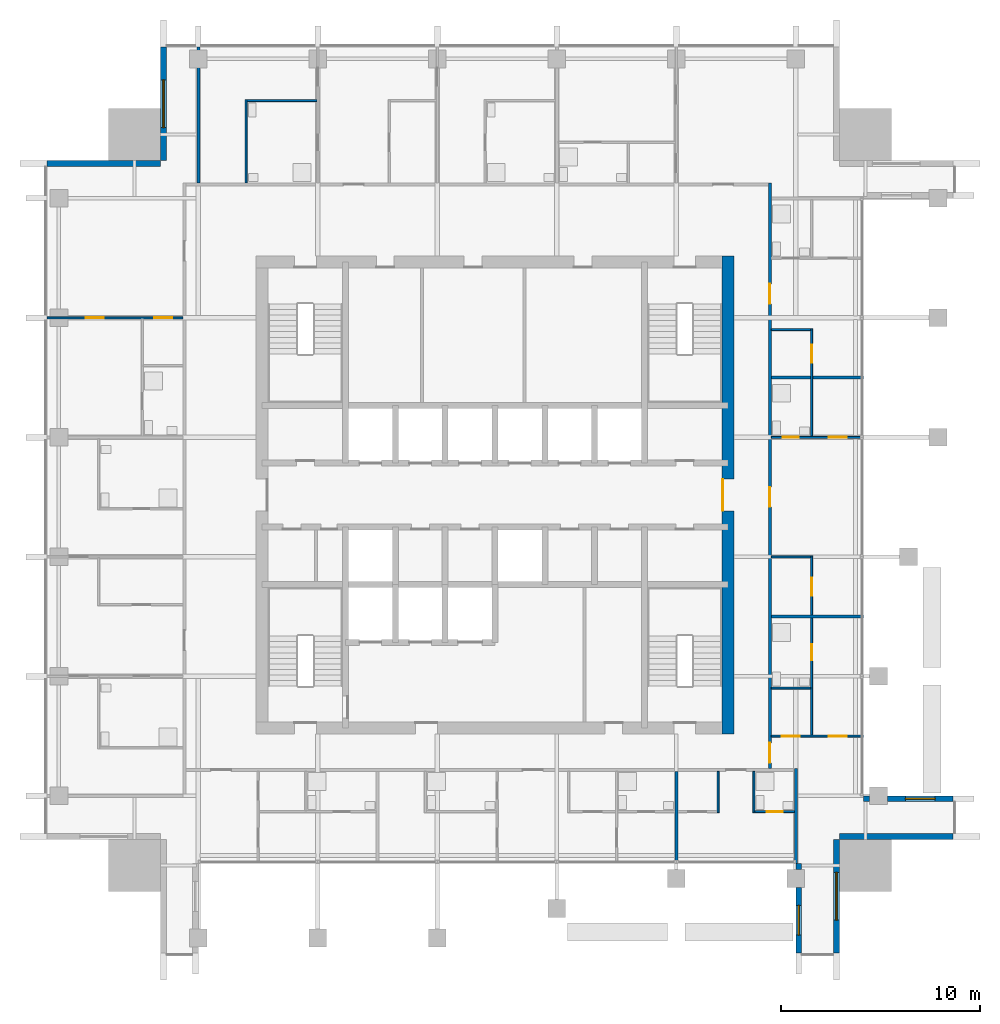
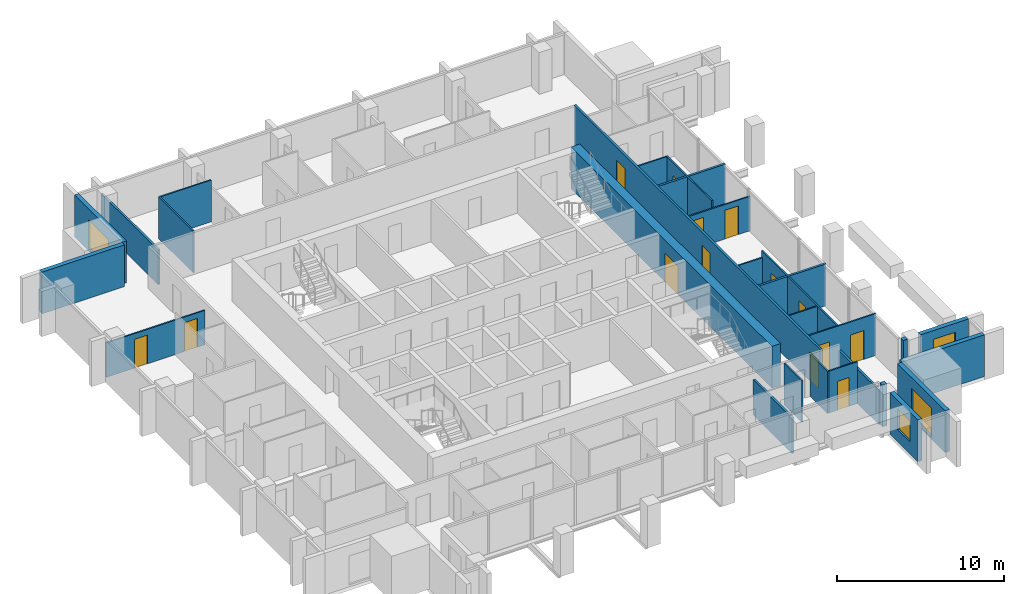
# One storey, part 10 of 14: 28 walls, 14 doors, 4 windows, 18 openings.
"""IFC4 building model written with IfcOpenShell, lengths in metres."""

from ifc_helpers import new_model, si_unit, direction, frame, frame_2d, origin, place, context, subcontext, project, spatial, rectangle, extrude, material, layer, layer_set, type_object, element, fill, save


model = new_model("IFC4")

# Units and contexts
model_context = context("Model", 3, precision=1e-05, world=origin(), true_north=direction((0.0, 1.0)))
body_context = subcontext(model_context, "Body", "Model", "MODEL_VIEW")
ifc_project = project(units=[si_unit("LENGTHUNIT", "METRE"), si_unit("AREAUNIT", "SQUARE_METRE"), si_unit("VOLUMEUNIT", "CUBIC_METRE"), si_unit("PLANEANGLEUNIT", "RADIAN"), si_unit("MASSUNIT", "GRAM", prefix="KILO")], contexts=[model_context])

# Site, building, storey
site_placement = place(None, origin())
site = spatial("IfcSite", under=ifc_project, at=site_placement, CompositionType="ELEMENT")
building_placement = place(site_placement, origin())
building = spatial("IfcBuilding", under=site, at=building_placement, Name="Amberfall Residences", CompositionType="ELEMENT")
storey_placement = place(building_placement, frame((0.0, 0.0, 220.0)))
storey = spatial("IfcBuildingStorey", under=building, at=storey_placement, Name="L59", CompositionType="ELEMENT", Elevation=220.0)

# Wall
ifc_material_1 = material(Name="Pale stone cladding on insulated backing", Category="masonry")
ifc_layer_1 = layer(ifc_material_1, 0.300048828125)
ifc_layer_set_1 = layer_set([ifc_layer_1], Name="Bronze clad wall 300")
wall_type_1 = type_object("IfcWallType", Name="Bronze clad wall 300", PredefinedType="SOLIDWALL", material=ifc_layer_set_1)
wall_1_placement = place(storey_placement, frame((89.75, 27.0, 0.0), z_axis=(0.0, 0.0, 1.0), x_axis=(0.0, -1.0, 0.0)))
element("IfcWall", 1, at=wall_1_placement, inside=storey, type_object=wall_type_1, Name="External wall L59 S", PredefinedType="SOLIDWALL", context=body_context, shape_type="SweptSolid", body=[
    extrude(rectangle(XDim=0.300048828125, YDim=0.300048828125, at=frame_2d((0.14990234375, 0.0))), origin(), (0.0, 0.0, 1.0), 3.050048828125),
])

# Wall, opening, window
wall_2_placement = place(storey_placement, frame((89.75, 25.800048828125, 0.0), z_axis=(0.0, 0.0, 1.0), x_axis=(0.0, -1.0, 0.0)))
wall_2 = element("IfcWall", 2, at=wall_2_placement, inside=storey, type_object=wall_type_1, Name="External wall L59 S", PredefinedType="SOLIDWALL", context=body_context, shape_type="SweptSolid", body=[
    extrude(rectangle(XDim=3.300048828125, YDim=0.300048828125, at=frame_2d((1.64990234375, 0.0))), origin(), (0.0, 0.0, 1.0), 3.050048828125),
])
opening_1_placement = place(wall_2_placement, frame((0.89990234375, 0.0, 0.89990234375)))
opening_1 = element("IfcOpeningElement", 3, at=opening_1_placement, cuts=wall_2, Name="Opening WN1", PredefinedType="OPENING", context=body_context, shape_type="SweptSolid", body=[
    extrude(rectangle(XDim=1.5, YDim=1.5, at=frame_2d((0.75, 0.75))), frame((0.0, 0.159912109375, 0.0), z_axis=(0.0, -1.0, 0.0), x_axis=(1.0, 0.0, 0.0)), (0.0, 0.0, 1.0), 0.320068359375),
])
ifc_material_2 = material(Name="Bronze aluminium framed glazing", Category="aluminium")
window_type_1 = type_object("IfcWindowType", Name="Window 1500 x 1500 bronze", PartitioningType="DOUBLE_PANEL_VERTICAL", PredefinedType="WINDOW", material=ifc_material_2)
window_1_placement = place(opening_1_placement, origin())
window_1 = element("IfcWindow", 4, at=window_1_placement, inside=storey, type_object=window_type_1, Name="Window L59 S", OverallHeight=1.5, OverallWidth=1.5, PartitioningType="DOUBLE_PANEL_VERTICAL", PredefinedType="WINDOW", context=body_context, shape_type="SweptSolid", body=[
    extrude(rectangle(XDim=1.5, YDim=1.5, at=frame_2d((0.75, 0.75))), frame((0.0, 0.030029296875, 0.0), z_axis=(0.0, -1.0, 0.0), x_axis=(1.0, 0.0, 0.0)), (0.0, 0.0, 1.0), 0.06005859375),
])
fill(opening_1, window_1)

wall_3_placement = place(storey_placement, frame((91.64990234375, 22.5, 0.0), z_axis=(0.0, 0.0, 1.0), x_axis=(0.0, 1.0, 0.0)))
wall_3 = element("IfcWall", 5, at=wall_3_placement, inside=storey, type_object=wall_type_1, Name="External wall L59 SE", PredefinedType="SOLIDWALL", context=body_context, shape_type="SweptSolid", body=[
    extrude(rectangle(XDim=5.699951171875, YDim=0.300048828125, at=frame_2d((2.85009765625, 0.0))), origin(), (0.0, 0.0, 1.0), 3.050048828125),
])
opening_2_placement = place(wall_3_placement, frame((1.64990234375, 0.0, 0.14990234375)))
opening_2 = element("IfcOpeningElement", 6, at=opening_2_placement, cuts=wall_3, Name="Opening WN5", PredefinedType="OPENING", context=body_context, shape_type="SweptSolid", body=[
    extrude(rectangle(XDim=2.39990234375, YDim=2.10009765625, at=frame_2d((1.199951171875, 1.050048828125))), frame((0.0, 0.159912109375, 0.0), z_axis=(0.0, -1.0, 0.0), x_axis=(1.0, 0.0, 0.0)), (0.0, 0.0, 1.0), 0.320068359375),
])
window_type_2 = type_object("IfcWindowType", Name="Glazed opening 2400 x 2100 bronze", PartitioningType="DOUBLE_PANEL_VERTICAL", PredefinedType="WINDOW", material=ifc_material_2)
window_2_placement = place(opening_2_placement, origin())
window_2 = element("IfcWindow", 7, at=window_2_placement, inside=storey, type_object=window_type_2, Name="Window L59 SE", OverallHeight=2.10009765625, OverallWidth=2.39990234375, PartitioningType="DOUBLE_PANEL_VERTICAL", PredefinedType="WINDOW", context=body_context, shape_type="SweptSolid", body=[
    extrude(rectangle(XDim=2.39990234375, YDim=2.10009765625, at=frame_2d((1.199951171875, 1.050048828125))), frame((0.0, 0.030029296875, 0.0), z_axis=(0.0, -1.0, 0.0), x_axis=(1.0, 0.0, 0.0)), (0.0, 0.0, 1.0), 0.06005859375),
])
fill(opening_2, window_2)

# Wall
wall_4_placement = place(storey_placement, frame((91.800048828125, 28.35009765625, 0.0), z_axis=(0.0, 0.0, 1.0), x_axis=(1.0, 0.0, 0.0)))
element("IfcWall", 8, at=wall_4_placement, inside=storey, type_object=wall_type_1, Name="External wall L59 SE", PredefinedType="SOLIDWALL", context=body_context, shape_type="SweptSolid", body=[
    extrude(rectangle(XDim=5.699951171875, YDim=0.300048828125, at=frame_2d((2.85009765625, 0.0))), origin(), (0.0, 0.0, 1.0), 3.050048828125),
])

# Wall, opening, window
wall_5_placement = place(storey_placement, frame((97.5, 30.25, 0.0), z_axis=(0.0, 0.0, 1.0), x_axis=(-1.0, 0.0, 0.0)))
wall_5 = element("IfcWall", 9, at=wall_5_placement, inside=storey, type_object=wall_type_1, Name="External wall L59 E", PredefinedType="SOLIDWALL", context=body_context, shape_type="SweptSolid", body=[
    extrude(rectangle(XDim=3.300048828125, YDim=0.300048828125, at=frame_2d((1.64990234375, 0.0))), origin(), (0.0, 0.0, 1.0), 3.050048828125),
])
opening_3_placement = place(wall_5_placement, frame((0.89990234375, 0.0, 0.89990234375)))
opening_3 = element("IfcOpeningElement", 10, at=opening_3_placement, cuts=wall_5, Name="Opening WN1", PredefinedType="OPENING", context=body_context, shape_type="SweptSolid", body=[
    extrude(rectangle(XDim=1.5, YDim=1.5, at=frame_2d((0.75, 0.75))), frame((0.0, 0.159912109375, 0.0), z_axis=(0.0, -1.0, 0.0), x_axis=(1.0, 0.0, 0.0)), (0.0, 0.0, 1.0), 0.320068359375),
])
window_3_placement = place(opening_3_placement, origin())
window_3 = element("IfcWindow", 11, at=window_3_placement, inside=storey, type_object=window_type_1, Name="Window L59 E", OverallHeight=1.5, OverallWidth=1.5, PartitioningType="DOUBLE_PANEL_VERTICAL", PredefinedType="WINDOW", context=body_context, shape_type="SweptSolid", body=[
    extrude(rectangle(XDim=1.5, YDim=1.5, at=frame_2d((0.75, 0.75))), frame((0.0, 0.030029296875, 0.0), z_axis=(0.0, -1.0, 0.0), x_axis=(1.0, 0.0, 0.0)), (0.0, 0.0, 1.0), 0.06005859375),
])
fill(opening_3, window_3)

# Wall
wall_6_placement = place(storey_placement, frame((93.300048828125, 30.25, 0.0), z_axis=(0.0, 0.0, 1.0), x_axis=(-1.0, 0.0, 0.0)))
element("IfcWall", 12, at=wall_6_placement, inside=storey, type_object=wall_type_1, Name="External wall L59 E", PredefinedType="SOLIDWALL", context=body_context, shape_type="SweptSolid", body=[
    extrude(rectangle(XDim=0.300048828125, YDim=0.300048828125, at=frame_2d((0.14990234375, 0.0))), origin(), (0.0, 0.0, 1.0), 3.050048828125),
])

# Wall, opening, window
wall_7_placement = place(storey_placement, frame((57.85009765625, 68.0, 0.0), z_axis=(0.0, 0.0, 1.0), x_axis=(0.0, -1.0, 0.0)))
wall_7 = element("IfcWall", 13, at=wall_7_placement, inside=storey, type_object=wall_type_1, Name="External wall L59 NW", PredefinedType="SOLIDWALL", context=body_context, shape_type="SweptSolid", body=[
    extrude(rectangle(XDim=5.699951171875, YDim=0.300048828125, at=frame_2d((2.85009765625, 0.0))), origin(), (0.0, 0.0, 1.0), 3.050048828125),
])
opening_4_placement = place(wall_7_placement, frame((1.64990234375, 0.0, 0.14990234375)))
opening_4 = element("IfcOpeningElement", 14, at=opening_4_placement, cuts=wall_7, Name="Opening WN5", PredefinedType="OPENING", context=body_context, shape_type="SweptSolid", body=[
    extrude(rectangle(XDim=2.39990234375, YDim=2.10009765625, at=frame_2d((1.199951171875, 1.050048828125))), frame((0.0, 0.159912109375, 0.0), z_axis=(0.0, -1.0, 0.0), x_axis=(1.0, 0.0, 0.0)), (0.0, 0.0, 1.0), 0.320068359375),
])
window_4_placement = place(opening_4_placement, origin())
window_4 = element("IfcWindow", 15, at=window_4_placement, inside=storey, type_object=window_type_2, Name="Window L59 NW", OverallHeight=2.10009765625, OverallWidth=2.39990234375, PartitioningType="DOUBLE_PANEL_VERTICAL", PredefinedType="WINDOW", context=body_context, shape_type="SweptSolid", body=[
    extrude(rectangle(XDim=2.39990234375, YDim=2.10009765625, at=frame_2d((1.199951171875, 1.050048828125))), frame((0.0, 0.030029296875, 0.0), z_axis=(0.0, -1.0, 0.0), x_axis=(1.0, 0.0, 0.0)), (0.0, 0.0, 1.0), 0.06005859375),
])
fill(opening_4, window_4)

# Wall
wall_8_placement = place(storey_placement, frame((57.699951171875, 62.14990234375, 0.0), z_axis=(0.0, 0.0, 1.0), x_axis=(-1.0, 0.0, 0.0)))
element("IfcWall", 16, at=wall_8_placement, inside=storey, type_object=wall_type_1, Name="External wall L59 NW", PredefinedType="SOLIDWALL", context=body_context, shape_type="SweptSolid", body=[
    extrude(rectangle(XDim=5.699951171875, YDim=0.300048828125, at=frame_2d((2.85009765625, 0.0))), origin(), (0.0, 0.0, 1.0), 3.050048828125),
])

# Wall, opening, door
ifc_material_3 = material(Name="Concrete C55", Category="concrete")
ifc_layer_2 = layer(ifc_material_3, 0.60009765625)
ifc_layer_set_2 = layer_set([ifc_layer_2], Name="Core wall 600 C55")
wall_type_2 = type_object("IfcWallType", Name="Core wall 600 C55", PredefinedType="SHEAR", material=ifc_layer_set_2)
wall_9_placement = place(storey_placement, frame((86.199951171875, 33.5, 0.0), z_axis=(0.0, 0.0, 1.0), x_axis=(0.0, 1.0, 0.0)))
wall_9 = element("IfcWall", 17, at=wall_9_placement, inside=storey, type_object=wall_type_2, Name="Core wall RW7 L59 OE", PredefinedType="SHEAR", context=body_context, shape_type="SweptSolid", body=[
    extrude(rectangle(XDim=24.0, YDim=0.60009765625, at=frame_2d((12.0, 0.0))), origin(), (0.0, 0.0, 1.0), 3.050048828125),
])
opening_5_placement = place(wall_9_placement, frame((11.199951171875, 0.0, 0.0)))
opening_5 = element("IfcOpeningElement", 18, at=opening_5_placement, cuts=wall_9, Name="Opening LB1", PredefinedType="OPENING", context=body_context, shape_type="SweptSolid", body=[
    extrude(rectangle(XDim=1.60009765625, YDim=2.10009765625, at=frame_2d((0.800048828125, 1.050048828125))), frame((0.0, 0.31005859375, 0.0), z_axis=(0.0, -1.0, 0.0), x_axis=(1.0, 0.0, 0.0)), (0.0, 0.0, 1.0), 0.6201171875),
])
ifc_material_4 = material(Name="Steel fire door set", Category="steel")
door_type_1 = type_object("IfcDoorType", Name="Lift lobby double door 1600 x 2100", OperationType="DOUBLE_DOOR_SINGLE_SWING", PredefinedType="DOOR", material=ifc_material_4)
door_1_placement = place(opening_5_placement, origin())
door_1 = element("IfcDoor", 19, at=door_1_placement, inside=storey, type_object=door_type_1, Name="LB1 L59", OperationType="DOUBLE_DOOR_SINGLE_SWING", OverallHeight=2.10009765625, OverallWidth=1.60009765625, PredefinedType="DOOR", context=body_context, shape_type="SweptSolid", body=[
    extrude(rectangle(XDim=1.60009765625, YDim=2.10009765625, at=frame_2d((0.800048828125, 1.050048828125))), frame((0.0, 0.28759765625, 0.0), z_axis=(0.0, -1.0, 0.0), x_axis=(1.0, 0.0, 0.0)), (0.0, 0.0, 1.0), 0.050048828125),
])
fill(opening_5, door_1)

# Walls
ifc_material_5 = material(Name="Gypsum board on metal stud")
ifc_layer_3 = layer(ifc_material_5, 0.10009765625)
ifc_layer_set_3 = layer_set([ifc_layer_3], Name="Flat partition 100")
wall_type_3 = type_object("IfcWallType", Name="Flat partition 100", PredefinedType="PARTITIONING", material=ifc_layer_set_3)
wall_10_placement = place(storey_placement, frame((62.0, 61.175048828125, 0.0), z_axis=(0.0, 0.0, 1.0), x_axis=(0.0, 1.0, 0.0)))
element("IfcWall", 20, at=wall_10_placement, inside=storey, type_object=wall_type_3, Name="Partition 005", PredefinedType="PARTITIONING", context=body_context, shape_type="SweptSolid", body=[
    extrude(rectangle(XDim=4.175048828125, YDim=0.10009765625, at=frame_2d((2.08740234375, 0.0))), origin(), (0.0, 0.0, 1.0), 3.050048828125),
])
for number, where, z_axis, x_axis, name in (
    (21, (85.699951171875, 29.550048828125, 0.0), (0.0, 0.0, 1.0), (0.0, 1.0, 0.0), "Partition 018"),
    (22, (87.5, 29.550048828125, 0.0), (0.0, 0.0, 1.0), (0.0, 1.0, 0.0), "Partition 019"),
):
    element("IfcWall", number, at=place(storey_placement, frame(where, z_axis=z_axis, x_axis=x_axis)), inside=storey, type_object=wall_type_3, Name=name, PredefinedType="PARTITIONING", context=body_context, shape_type="SweptSolid", body=[
        extrude(rectangle(XDim=2.074951171875, YDim=0.10009765625, at=frame_2d((1.03759765625, 0.0))), origin(), (0.0, 0.0, 1.0), 3.050048828125),
    ])

# Wall, openings, doors
wall_11_placement = place(storey_placement, frame((90.39990234375, 33.449951171875, 0.0), z_axis=(0.0, 0.0, 1.0), x_axis=(0.0, 1.0, 0.0)))
wall_11 = element("IfcWall", 23, at=wall_11_placement, inside=storey, type_object=wall_type_3, Name="Partition 020", PredefinedType="PARTITIONING", context=body_context, shape_type="SweptSolid", body=[
    extrude(rectangle(XDim=9.0, YDim=0.10009765625, at=frame_2d((4.5, 0.0))), origin(), (0.0, 0.0, 1.0), 3.050048828125),
])
opening_6_placement = place(wall_11_placement, frame((3.75, 0.0, 0.0)))
opening_6 = element("IfcOpeningElement", 24, at=opening_6_placement, cuts=wall_11, Name="Opening D42", PredefinedType="OPENING", context=body_context, shape_type="SweptSolid", body=[
    extrude(rectangle(XDim=0.800048828125, YDim=2.10009765625, at=frame_2d((0.39990234375, 1.050048828125))), frame((0.0, 0.06005859375, 0.0), z_axis=(0.0, -1.0, 0.0), x_axis=(1.0, 0.0, 0.0)), (0.0, 0.0, 1.0), 0.1201171875),
])
opening_7_placement = place(wall_11_placement, frame((7.0, 0.0, 0.0)))
opening_7 = element("IfcOpeningElement", 25, at=opening_7_placement, cuts=wall_11, Name="Opening D41", PredefinedType="OPENING", context=body_context, shape_type="SweptSolid", body=[
    extrude(rectangle(XDim=0.89990234375, YDim=2.10009765625, at=frame_2d((0.449951171875, 1.050048828125))), frame((0.0, 0.06005859375, 0.0), z_axis=(0.0, -1.0, 0.0), x_axis=(1.0, 0.0, 0.0)), (0.0, 0.0, 1.0), 0.1201171875),
])
ifc_material_6 = material(Name="Timber", Category="wood")
door_type_2 = type_object("IfcDoorType", Name="Bathroom door 800 x 2100", OperationType="SINGLE_SWING_LEFT", PredefinedType="DOOR", material=ifc_material_6)
door_2_placement = place(opening_6_placement, origin())
door_2 = element("IfcDoor", 26, at=door_2_placement, inside=storey, type_object=door_type_2, Name="Door 5904 bath1", OperationType="SINGLE_SWING_LEFT", OverallHeight=2.10009765625, OverallWidth=0.800048828125, PredefinedType="DOOR", context=body_context, shape_type="SweptSolid", body=[
    extrude(rectangle(XDim=0.800048828125, YDim=2.10009765625, at=frame_2d((0.39990234375, 1.050048828125))), frame((0.0, 0.02490234375, 0.0), z_axis=(0.0, -1.0, 0.0), x_axis=(1.0, 0.0, 0.0)), (0.0, 0.0, 1.0), 0.050048828125),
])
fill(opening_6, door_2)
door_type_3 = type_object("IfcDoorType", Name="Internal door 900 x 2100", OperationType="SINGLE_SWING_LEFT", PredefinedType="DOOR", material=ifc_material_6)
door_3_placement = place(opening_7_placement, origin())
door_3 = element("IfcDoor", 27, at=door_3_placement, inside=storey, type_object=door_type_3, Name="Door 5905 kitchen", OperationType="SINGLE_SWING_LEFT", OverallHeight=2.10009765625, OverallWidth=0.89990234375, PredefinedType="DOOR", context=body_context, shape_type="SweptSolid", body=[
    extrude(rectangle(XDim=0.89990234375, YDim=2.10009765625, at=frame_2d((0.449951171875, 1.050048828125))), frame((0.0, 0.02490234375, 0.0), z_axis=(0.0, -1.0, 0.0), x_axis=(1.0, 0.0, 0.0)), (0.0, 0.0, 1.0), 0.050048828125),
])
fill(opening_7, door_3)

# Wall, opening, door
wall_12_placement = place(storey_placement, frame((90.39990234375, 48.449951171875, 0.0), z_axis=(0.0, 0.0, 1.0), x_axis=(0.0, 1.0, 0.0)))
wall_12 = element("IfcWall", 28, at=wall_12_placement, inside=storey, type_object=wall_type_3, Name="Partition 021", PredefinedType="PARTITIONING", context=body_context, shape_type="SweptSolid", body=[
    extrude(rectangle(XDim=5.400146484375, YDim=0.10009765625, at=frame_2d((2.7001953125, 0.0))), origin(), (0.0, 0.0, 1.0), 3.050048828125),
])
opening_8_placement = place(wall_12_placement, frame((3.699951171875, 0.0, 0.0)))
opening_8 = element("IfcOpeningElement", 29, at=opening_8_placement, cuts=wall_12, Name="Opening D41", PredefinedType="OPENING", context=body_context, shape_type="SweptSolid", body=[
    extrude(rectangle(XDim=0.89990234375, YDim=2.10009765625, at=frame_2d((0.449951171875, 1.050048828125))), frame((0.0, 0.06005859375, 0.0), z_axis=(0.0, -1.0, 0.0), x_axis=(1.0, 0.0, 0.0)), (0.0, 0.0, 1.0), 0.1201171875),
])
door_4_placement = place(opening_8_placement, origin())
door_4 = element("IfcDoor", 30, at=door_4_placement, inside=storey, type_object=door_type_3, Name="Door 5906 kitchen", OperationType="SINGLE_SWING_LEFT", OverallHeight=2.10009765625, OverallWidth=0.89990234375, PredefinedType="DOOR", context=body_context, shape_type="SweptSolid", body=[
    extrude(rectangle(XDim=0.89990234375, YDim=2.10009765625, at=frame_2d((0.449951171875, 1.050048828125))), frame((0.0, 0.02490234375, 0.0), z_axis=(0.0, -1.0, 0.0), x_axis=(1.0, 0.0, 0.0)), (0.0, 0.0, 1.0), 0.050048828125),
])
fill(opening_8, door_4)

# Wall
wall_13_placement = place(storey_placement, frame((62.050048828125, 65.300048828125, 0.0), z_axis=(0.0, 0.0, 1.0), x_axis=(1.0, 0.0, 0.0)))
element("IfcWall", 31, at=wall_13_placement, inside=storey, type_object=wall_type_3, Name="Partition 023", PredefinedType="PARTITIONING", context=body_context, shape_type="SweptSolid", body=[
    extrude(rectangle(XDim=3.5, YDim=0.10009765625, at=frame_2d((1.75, 0.0))), origin(), (0.0, 0.0, 1.0), 3.050048828125),
])

# Wall, openings, doors
wall_14_placement = place(storey_placement, frame((58.824951171875, 54.39990234375, 0.0), z_axis=(0.0, 0.0, 1.0), x_axis=(-1.0, 0.0, 0.0)))
wall_14 = element("IfcWall", 32, at=wall_14_placement, inside=storey, type_object=wall_type_3, Name="Partition 028", PredefinedType="PARTITIONING", context=body_context, shape_type="SweptSolid", body=[
    extrude(rectangle(XDim=6.824951171875, YDim=0.10009765625, at=frame_2d((3.41259765625, 0.0))), origin(), (0.0, 0.0, 1.0), 2.51611328125),
])
opening_9_placement = place(wall_14_placement, frame((0.52490234375, 0.0, 0.0)))
opening_9 = element("IfcOpeningElement", 33, at=opening_9_placement, cuts=wall_14, Name="Opening D41", PredefinedType="OPENING", context=body_context, shape_type="SweptSolid", body=[
    extrude(rectangle(XDim=0.89990234375, YDim=2.10009765625, at=frame_2d((0.449951171875, 1.050048828125))), frame((0.0, 0.06005859375, 0.0), z_axis=(0.0, -1.0, 0.0), x_axis=(1.0, 0.0, 0.0)), (0.0, 0.0, 1.0), 0.1201171875),
])
opening_10_placement = place(wall_14_placement, frame((3.97509765625, 0.0, 0.0)))
opening_10 = element("IfcOpeningElement", 34, at=opening_10_placement, cuts=wall_14, Name="Opening D41", PredefinedType="OPENING", context=body_context, shape_type="SweptSolid", body=[
    extrude(rectangle(XDim=0.89990234375, YDim=2.10009765625, at=frame_2d((0.449951171875, 1.050048828125))), frame((0.0, 0.06005859375, 0.0), z_axis=(0.0, -1.0, 0.0), x_axis=(1.0, 0.0, 0.0)), (0.0, 0.0, 1.0), 0.1201171875),
])
door_5_placement = place(opening_9_placement, origin())
door_5 = element("IfcDoor", 35, at=door_5_placement, inside=storey, type_object=door_type_3, Name="Door 5910 kitchen", OperationType="SINGLE_SWING_LEFT", OverallHeight=2.10009765625, OverallWidth=0.89990234375, PredefinedType="DOOR", context=body_context, shape_type="SweptSolid", body=[
    extrude(rectangle(XDim=0.89990234375, YDim=2.10009765625, at=frame_2d((0.449951171875, 1.050048828125))), frame((0.0, 0.02490234375, 0.0), z_axis=(0.0, -1.0, 0.0), x_axis=(1.0, 0.0, 0.0)), (0.0, 0.0, 1.0), 0.050048828125),
])
fill(opening_9, door_5)
door_6_placement = place(opening_10_placement, origin())
door_6 = element("IfcDoor", 36, at=door_6_placement, inside=storey, type_object=door_type_3, Name="Door 5910 bedroom1", OperationType="SINGLE_SWING_LEFT", OverallHeight=2.10009765625, OverallWidth=0.89990234375, PredefinedType="DOOR", context=body_context, shape_type="SweptSolid", body=[
    extrude(rectangle(XDim=0.89990234375, YDim=2.10009765625, at=frame_2d((0.449951171875, 1.050048828125))), frame((0.0, 0.02490234375, 0.0), z_axis=(0.0, -1.0, 0.0), x_axis=(1.0, 0.0, 0.0)), (0.0, 0.0, 1.0), 0.050048828125),
])
fill(opening_10, door_6)

# Wall
wall_15_placement = place(storey_placement, frame((88.375, 53.800048828125, 0.0), z_axis=(0.0, 0.0, 1.0), x_axis=(1.0, 0.0, 0.0)))
element("IfcWall", 37, at=wall_15_placement, inside=storey, type_object=wall_type_3, Name="Partition 029", PredefinedType="PARTITIONING", context=body_context, shape_type="SweptSolid", body=[
    extrude(rectangle(XDim=1.97509765625, YDim=0.10009765625, at=frame_2d((0.987548828125, 0.0))), origin(), (0.0, 0.0, 1.0), 3.050048828125),
])

# Wall, openings, doors
wall_16_placement = place(storey_placement, frame((88.375, 48.39990234375, 0.0), z_axis=(0.0, 0.0, 1.0), x_axis=(1.0, 0.0, 0.0)))
wall_16 = element("IfcWall", 38, at=wall_16_placement, inside=storey, type_object=wall_type_3, Name="Partition 031", PredefinedType="PARTITIONING", context=body_context, shape_type="SweptSolid", body=[
    extrude(rectangle(XDim=4.625, YDim=0.10009765625, at=frame_2d((2.3125, 0.0))), origin(), (0.0, 0.0, 1.0), 2.51611328125),
])
opening_11_placement = place(wall_16_placement, frame((2.875, 0.0, 0.0)))
opening_11 = element("IfcOpeningElement", 39, at=opening_11_placement, cuts=wall_16, Name="Opening D41", PredefinedType="OPENING", context=body_context, shape_type="SweptSolid", body=[
    extrude(rectangle(XDim=0.89990234375, YDim=2.10009765625, at=frame_2d((0.449951171875, 1.050048828125))), frame((0.0, 0.06005859375, 0.0), z_axis=(0.0, -1.0, 0.0), x_axis=(1.0, 0.0, 0.0)), (0.0, 0.0, 1.0), 0.1201171875),
])
opening_12_placement = place(wall_16_placement, frame((0.574951171875, 0.0, 0.0)))
opening_12 = element("IfcOpeningElement", 40, at=opening_12_placement, cuts=wall_16, Name="Opening D42", PredefinedType="OPENING", context=body_context, shape_type="SweptSolid", body=[
    extrude(rectangle(XDim=0.800048828125, YDim=2.10009765625, at=frame_2d((0.39990234375, 1.050048828125))), frame((0.0, 0.06005859375, 0.0), z_axis=(0.0, -1.0, 0.0), x_axis=(1.0, 0.0, 0.0)), (0.0, 0.0, 1.0), 0.1201171875),
])
door_7_placement = place(opening_12_placement, origin())
door_7 = element("IfcDoor", 41, at=door_7_placement, inside=storey, type_object=door_type_2, Name="Door 5905 bath1", OperationType="SINGLE_SWING_LEFT", OverallHeight=2.10009765625, OverallWidth=0.800048828125, PredefinedType="DOOR", context=body_context, shape_type="SweptSolid", body=[
    extrude(rectangle(XDim=0.800048828125, YDim=2.10009765625, at=frame_2d((0.39990234375, 1.050048828125))), frame((0.0, 0.02490234375, 0.0), z_axis=(0.0, -1.0, 0.0), x_axis=(1.0, 0.0, 0.0)), (0.0, 0.0, 1.0), 0.050048828125),
])
fill(opening_12, door_7)
door_8_placement = place(opening_11_placement, origin())
door_8 = element("IfcDoor", 42, at=door_8_placement, inside=storey, type_object=door_type_3, Name="Door 5905 bedroom1", OperationType="SINGLE_SWING_LEFT", OverallHeight=2.10009765625, OverallWidth=0.89990234375, PredefinedType="DOOR", context=body_context, shape_type="SweptSolid", body=[
    extrude(rectangle(XDim=0.89990234375, YDim=2.10009765625, at=frame_2d((0.449951171875, 1.050048828125))), frame((0.0, 0.02490234375, 0.0), z_axis=(0.0, -1.0, 0.0), x_axis=(1.0, 0.0, 0.0)), (0.0, 0.0, 1.0), 0.050048828125),
])
fill(opening_11, door_8)

# Walls
wall_17_placement = place(storey_placement, frame((88.375, 42.39990234375, 0.0), z_axis=(0.0, 0.0, 1.0), x_axis=(1.0, 0.0, 0.0)))
element("IfcWall", 43, at=wall_17_placement, inside=storey, type_object=wall_type_3, Name="Partition 034", PredefinedType="PARTITIONING", context=body_context, shape_type="SweptSolid", body=[
    extrude(rectangle(XDim=1.97509765625, YDim=0.10009765625, at=frame_2d((0.987548828125, 0.0))), origin(), (0.0, 0.0, 1.0), 2.590087890625),
])
wall_18_placement = place(storey_placement, frame((88.375, 35.800048828125, 0.0), z_axis=(0.0, 0.0, 1.0), x_axis=(1.0, 0.0, 0.0)))
element("IfcWall", 44, at=wall_18_placement, inside=storey, type_object=wall_type_3, Name="Partition 037", PredefinedType="PARTITIONING", context=body_context, shape_type="SweptSolid", body=[
    extrude(rectangle(XDim=1.97509765625, YDim=0.10009765625, at=frame_2d((0.987548828125, 0.0))), origin(), (0.0, 0.0, 1.0), 3.050048828125),
])

# Wall, openings, doors
wall_19_placement = place(storey_placement, frame((88.375, 33.39990234375, 0.0), z_axis=(0.0, 0.0, 1.0), x_axis=(1.0, 0.0, 0.0)))
wall_19 = element("IfcWall", 45, at=wall_19_placement, inside=storey, type_object=wall_type_3, Name="Partition 038", PredefinedType="PARTITIONING", context=body_context, shape_type="SweptSolid", body=[
    extrude(rectangle(XDim=4.625, YDim=0.10009765625, at=frame_2d((2.3125, 0.0))), origin(), (0.0, 0.0, 1.0), 3.050048828125),
])
opening_13_placement = place(wall_19_placement, frame((0.52490234375, 0.0, 0.0)))
opening_13 = element("IfcOpeningElement", 46, at=opening_13_placement, cuts=wall_19, Name="Opening D41", PredefinedType="OPENING", context=body_context, shape_type="SweptSolid", body=[
    extrude(rectangle(XDim=0.89990234375, YDim=2.10009765625, at=frame_2d((0.449951171875, 1.050048828125))), frame((0.0, 0.06005859375, 0.0), z_axis=(0.0, -1.0, 0.0), x_axis=(1.0, 0.0, 0.0)), (0.0, 0.0, 1.0), 0.1201171875),
])
opening_14_placement = place(wall_19_placement, frame((2.875, 0.0, 0.0)))
opening_14 = element("IfcOpeningElement", 47, at=opening_14_placement, cuts=wall_19, Name="Opening D41", PredefinedType="OPENING", context=body_context, shape_type="SweptSolid", body=[
    extrude(rectangle(XDim=0.89990234375, YDim=2.10009765625, at=frame_2d((0.449951171875, 1.050048828125))), frame((0.0, 0.06005859375, 0.0), z_axis=(0.0, -1.0, 0.0), x_axis=(1.0, 0.0, 0.0)), (0.0, 0.0, 1.0), 0.1201171875),
])
door_9_placement = place(opening_13_placement, origin())
door_9 = element("IfcDoor", 48, at=door_9_placement, inside=storey, type_object=door_type_3, Name="Door 5904 kitchen", OperationType="SINGLE_SWING_LEFT", OverallHeight=2.10009765625, OverallWidth=0.89990234375, PredefinedType="DOOR", context=body_context, shape_type="SweptSolid", body=[
    extrude(rectangle(XDim=0.89990234375, YDim=2.10009765625, at=frame_2d((0.449951171875, 1.050048828125))), frame((0.0, 0.02490234375, 0.0), z_axis=(0.0, -1.0, 0.0), x_axis=(1.0, 0.0, 0.0)), (0.0, 0.0, 1.0), 0.050048828125),
])
fill(opening_13, door_9)
door_10_placement = place(opening_14_placement, origin())
door_10 = element("IfcDoor", 49, at=door_10_placement, inside=storey, type_object=door_type_3, Name="Door 5904 bedroom1", OperationType="SINGLE_SWING_LEFT", OverallHeight=2.10009765625, OverallWidth=0.89990234375, PredefinedType="DOOR", context=body_context, shape_type="SweptSolid", body=[
    extrude(rectangle(XDim=0.89990234375, YDim=2.10009765625, at=frame_2d((0.449951171875, 1.050048828125))), frame((0.0, 0.02490234375, 0.0), z_axis=(0.0, -1.0, 0.0), x_axis=(1.0, 0.0, 0.0)), (0.0, 0.0, 1.0), 0.050048828125),
])
fill(opening_14, door_10)

# Wall, opening, door
wall_20_placement = place(storey_placement, frame((87.550048828125, 29.60009765625, 0.0), z_axis=(0.0, 0.0, 1.0), x_axis=(1.0, 0.0, 0.0)))
wall_20 = element("IfcWall", 50, at=wall_20_placement, inside=storey, type_object=wall_type_3, Name="Partition 043", PredefinedType="PARTITIONING", context=body_context, shape_type="SweptSolid", body=[
    extrude(rectangle(XDim=1.974853515625, YDim=0.10009765625, at=frame_2d((0.9873046875, 0.0))), origin(), (0.0, 0.0, 1.0), 3.050048828125),
])
opening_15_placement = place(wall_20_placement, frame((0.60009765625, 0.0, 0.0)))
opening_15 = element("IfcOpeningElement", 51, at=opening_15_placement, cuts=wall_20, Name="Opening D42", PredefinedType="OPENING", context=body_context, shape_type="SweptSolid", body=[
    extrude(rectangle(XDim=0.800048828125, YDim=2.10009765625, at=frame_2d((0.39990234375, 1.050048828125))), frame((0.0, 0.06005859375, 0.0), z_axis=(0.0, -1.0, 0.0), x_axis=(1.0, 0.0, 0.0)), (0.0, 0.0, 1.0), 0.1201171875),
])
door_11_placement = place(opening_15_placement, origin())
door_11 = element("IfcDoor", 52, at=door_11_placement, inside=storey, type_object=door_type_2, Name="Door 5903 bath1", OperationType="SINGLE_SWING_LEFT", OverallHeight=2.10009765625, OverallWidth=0.800048828125, PredefinedType="DOOR", context=body_context, shape_type="SweptSolid", body=[
    extrude(rectangle(XDim=0.800048828125, YDim=2.10009765625, at=frame_2d((0.39990234375, 1.050048828125))), frame((0.0, 0.02490234375, 0.0), z_axis=(0.0, -1.0, 0.0), x_axis=(1.0, 0.0, 0.0)), (0.0, 0.0, 1.0), 0.050048828125),
])
fill(opening_15, door_11)

# Walls
ifc_material_7 = material(Name="Blockwork, plastered", Category="masonry")
ifc_layer_4 = layer(ifc_material_7, 0.14990234375)
ifc_layer_set_4 = layer_set([ifc_layer_4], Name="Flat separating wall 150")
wall_type_4 = type_object("IfcWallType", Name="Flat separating wall 150", PredefinedType="PARTITIONING", material=ifc_layer_set_4)
wall_21_placement = place(storey_placement, frame((59.60009765625, 61.175048828125, 0.0), z_axis=(0.0, 0.0, 1.0), x_axis=(0.0, 1.0, 0.0)))
element("IfcWall", 53, at=wall_21_placement, inside=storey, type_object=wall_type_4, Name="Separating wall 045", PredefinedType="PARTITIONING", context=body_context, shape_type="SweptSolid", body=[
    extrude(rectangle(XDim=6.824951171875, YDim=0.14990234375, at=frame_2d((3.41259765625, 0.0))), origin(), (0.0, 0.0, 1.0), 2.510009765625),
])
wall_22_placement = place(storey_placement, frame((83.60009765625, 27.0, 0.0), z_axis=(0.0, 0.0, 1.0), x_axis=(0.0, 1.0, 0.0)))
element("IfcWall", 54, at=wall_22_placement, inside=storey, type_object=wall_type_4, Name="Separating wall 048", PredefinedType="PARTITIONING", context=body_context, shape_type="SweptSolid", body=[
    extrude(rectangle(XDim=4.625, YDim=0.14990234375, at=frame_2d((2.3125, 0.0))), origin(), (0.0, 0.0, 1.0), 2.590087890625),
])

# Wall, openings, doors
wall_23_placement = place(storey_placement, frame((88.300048828125, 61.175048828125, 0.0), z_axis=(0.0, 0.0, 1.0), x_axis=(0.0, -1.0, 0.0)))
wall_23 = element("IfcWall", 55, at=wall_23_placement, inside=storey, type_object=wall_type_4, Name="Separating wall 049", PredefinedType="PARTITIONING", context=body_context, shape_type="SweptSolid", body=[
    extrude(rectangle(XDim=29.400146484375, YDim=0.14990234375, at=frame_2d((14.7001953125, 0.0))), origin(), (0.0, 0.0, 1.0), 3.050048828125),
])
opening_16_placement = place(wall_23_placement, frame((28.125, 0.0, 0.0)))
opening_16 = element("IfcOpeningElement", 56, at=opening_16_placement, cuts=wall_23, Name="Opening D40", PredefinedType="OPENING", context=body_context, shape_type="SweptSolid", body=[
    extrude(rectangle(XDim=1.0, YDim=2.10009765625, at=frame_2d((0.5, 1.050048828125))), frame((0.0, 0.0849609375, 0.0), z_axis=(0.0, -1.0, 0.0), x_axis=(1.0, 0.0, 0.0)), (0.0, 0.0, 1.0), 0.169921875),
])
opening_17_placement = place(wall_23_placement, frame((15.27490234375, 0.0, 0.0)))
opening_17 = element("IfcOpeningElement", 57, at=opening_17_placement, cuts=wall_23, Name="Opening D40", PredefinedType="OPENING", context=body_context, shape_type="SweptSolid", body=[
    extrude(rectangle(XDim=1.0, YDim=2.10009765625, at=frame_2d((0.5, 1.050048828125))), frame((0.0, 0.0849609375, 0.0), z_axis=(0.0, -1.0, 0.0), x_axis=(1.0, 0.0, 0.0)), (0.0, 0.0, 1.0), 0.169921875),
])
opening_18_placement = place(wall_23_placement, frame((5.074951171875, 0.0, 0.0)))
opening_18 = element("IfcOpeningElement", 58, at=opening_18_placement, cuts=wall_23, Name="Opening D40", PredefinedType="OPENING", context=body_context, shape_type="SweptSolid", body=[
    extrude(rectangle(XDim=1.0, YDim=2.10009765625, at=frame_2d((0.5, 1.050048828125))), frame((0.0, 0.0849609375, 0.0), z_axis=(0.0, -1.0, 0.0), x_axis=(1.0, 0.0, 0.0)), (0.0, 0.0, 1.0), 0.169921875),
])
ifc_material_8 = material(Name="Timber, fire-rated", Category="wood")
door_type_4 = type_object("IfcDoorType", Name="Flat entrance door FD60 1000 x 2100", OperationType="SINGLE_SWING_LEFT", PredefinedType="DOOR", material=ifc_material_8)
door_12_placement = place(opening_16_placement, origin())
door_12 = element("IfcDoor", 59, at=door_12_placement, inside=storey, type_object=door_type_4, Name="Door 5904 entrance", OperationType="SINGLE_SWING_LEFT", OverallHeight=2.10009765625, OverallWidth=1.0, PredefinedType="DOOR", context=body_context, shape_type="SweptSolid", body=[
    extrude(rectangle(XDim=1.0, YDim=2.10009765625, at=frame_2d((0.5, 1.050048828125))), frame((0.0, 0.02490234375, 0.0), z_axis=(0.0, -1.0, 0.0), x_axis=(1.0, 0.0, 0.0)), (0.0, 0.0, 1.0), 0.050048828125),
])
fill(opening_16, door_12)
door_13_placement = place(opening_17_placement, origin())
door_13 = element("IfcDoor", 60, at=door_13_placement, inside=storey, type_object=door_type_4, Name="Door 5905 entrance", OperationType="SINGLE_SWING_LEFT", OverallHeight=2.10009765625, OverallWidth=1.0, PredefinedType="DOOR", context=body_context, shape_type="SweptSolid", body=[
    extrude(rectangle(XDim=1.0, YDim=2.10009765625, at=frame_2d((0.5, 1.050048828125))), frame((0.0, 0.02490234375, 0.0), z_axis=(0.0, -1.0, 0.0), x_axis=(1.0, 0.0, 0.0)), (0.0, 0.0, 1.0), 0.050048828125),
])
fill(opening_17, door_13)
door_14_placement = place(opening_18_placement, origin())
door_14 = element("IfcDoor", 61, at=door_14_placement, inside=storey, type_object=door_type_4, Name="Door 5906 entrance", OperationType="SINGLE_SWING_LEFT", OverallHeight=2.10009765625, OverallWidth=1.0, PredefinedType="DOOR", context=body_context, shape_type="SweptSolid", body=[
    extrude(rectangle(XDim=1.0, YDim=2.10009765625, at=frame_2d((0.5, 1.050048828125))), frame((0.0, 0.02490234375, 0.0), z_axis=(0.0, -1.0, 0.0), x_axis=(1.0, 0.0, 0.0)), (0.0, 0.0, 1.0), 0.050048828125),
])
fill(opening_18, door_14)

# Walls
wall_24_placement = place(storey_placement, frame((89.60009765625, 27.0, 0.0), z_axis=(0.0, 0.0, 1.0), x_axis=(0.0, 1.0, 0.0)))
element("IfcWall", 62, at=wall_24_placement, inside=storey, type_object=wall_type_4, Name="Separating wall 050", PredefinedType="PARTITIONING", context=body_context, shape_type="SweptSolid", body=[
    extrude(rectangle(XDim=4.77490234375, YDim=0.14990234375, at=frame_2d((2.387451171875, 0.0))), origin(), (0.0, 0.0, 1.0), 2.51611328125),
])
for number, where, z_axis, x_axis, name in (
    (63, (88.375, 51.39990234375, 0.0), (0.0, 0.0, 1.0), (1.0, 0.0, 0.0), "Separating wall 053"),
    (64, (88.375, 39.39990234375, 0.0), (0.0, 0.0, 1.0), (1.0, 0.0, 0.0), "Separating wall 055"),
):
    element("IfcWall", number, at=place(storey_placement, frame(where, z_axis=z_axis, x_axis=x_axis)), inside=storey, type_object=wall_type_4, Name=name, PredefinedType="PARTITIONING", context=body_context, shape_type="SweptSolid", body=[
        extrude(rectangle(XDim=4.625, YDim=0.14990234375, at=frame_2d((2.3125, 0.0))), origin(), (0.0, 0.0, 1.0), 3.050048828125),
    ])

save(model, "model.ifc")
